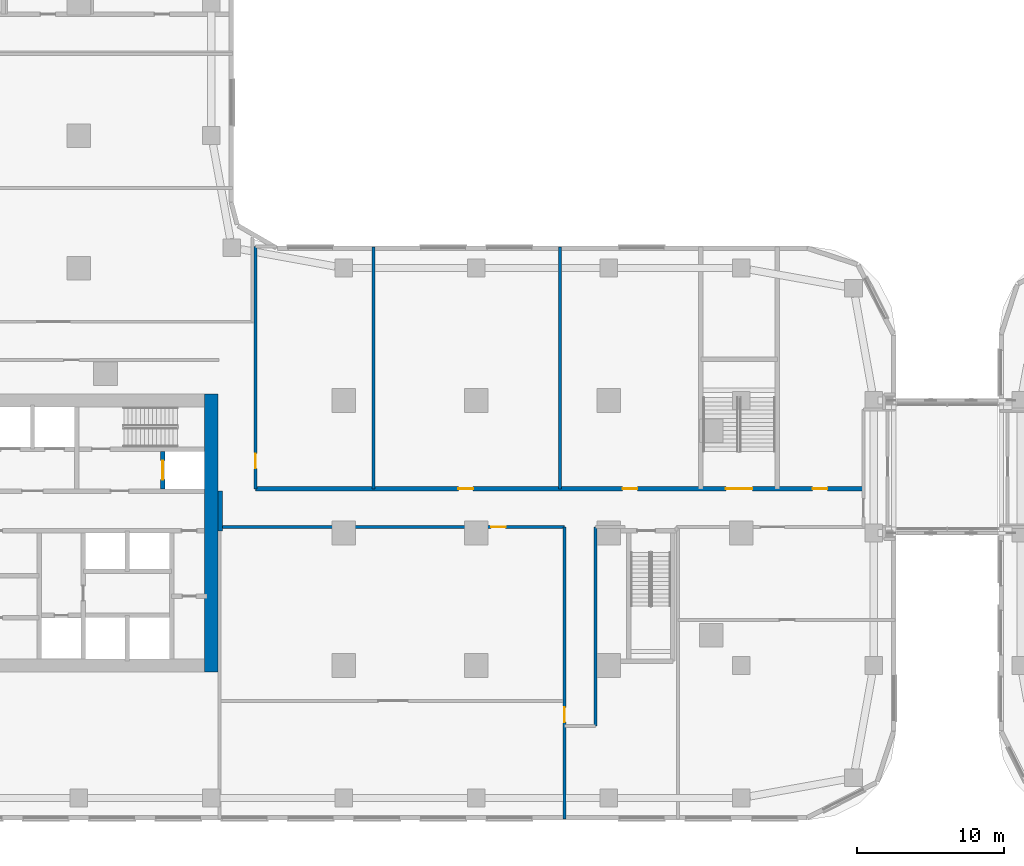
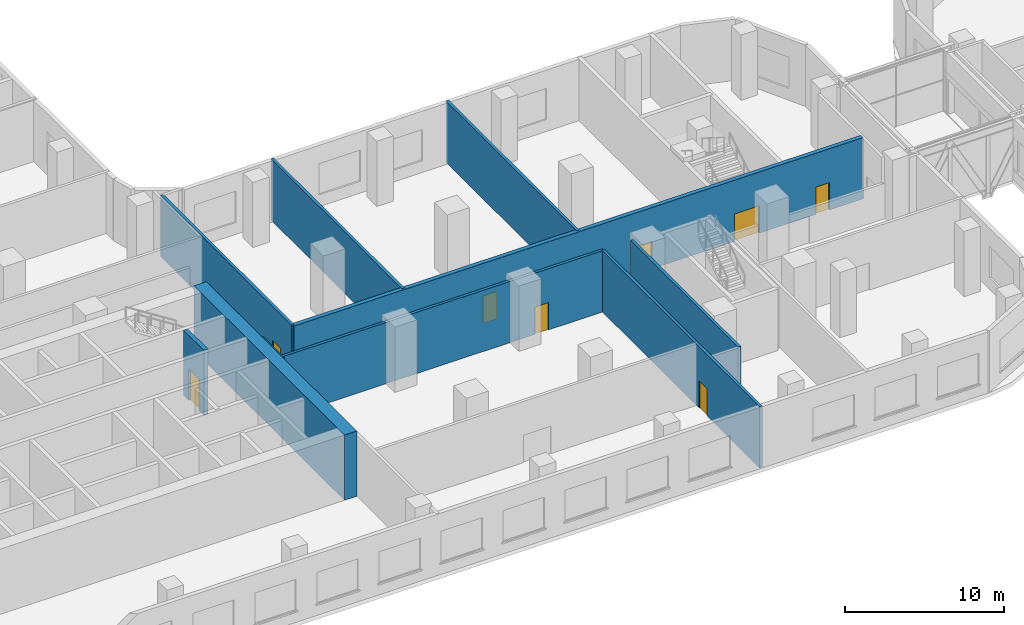
# One storey, part 8 of 35: 10 walls, 8 doors, 8 openings.
"""IFC4 building model written with IfcOpenShell, lengths in metres."""

from ifc_helpers import new_model, si_unit, direction, frame, frame_2d, origin, place, context, subcontext, project, spatial, rectangle, extrude, material, layer, layer_set, type_object, element, fill, save


model = new_model("IFC4")

# Units and contexts
model_context = context("Model", 3, precision=1e-05, world=origin(), true_north=direction((0.0, 1.0)))
body_context = subcontext(model_context, "Body", "Model", "MODEL_VIEW")
ifc_project = project(units=[si_unit("LENGTHUNIT", "METRE"), si_unit("AREAUNIT", "SQUARE_METRE"), si_unit("VOLUMEUNIT", "CUBIC_METRE"), si_unit("PLANEANGLEUNIT", "RADIAN"), si_unit("MASSUNIT", "GRAM", prefix="KILO")], contexts=[model_context])

# Site, building, storey
site_placement = place(None, origin())
site = spatial("IfcSite", under=ifc_project, at=site_placement, CompositionType="ELEMENT")
building_placement = place(site_placement, origin())
building = spatial("IfcBuilding", under=site, at=building_placement, Name="Ogive Portal Towers", CompositionType="ELEMENT")
storey_placement = place(building_placement, frame((0.0, 0.0, 23.5)))
storey = spatial("IfcBuildingStorey", under=building, at=storey_placement, Name="L04", CompositionType="ELEMENT", Elevation=23.5)

# Wall, opening, door
ifc_material_1 = material(Name="Concrete C60/75", Category="concrete")
ifc_layer_1 = layer(ifc_material_1, 0.300048828125)
ifc_layer_set_1 = layer_set([ifc_layer_1], Name="CORE WALL 300 C60")
wall_type_1 = type_object("IfcWallType", Name="CORE WALL 300 C60", PredefinedType="SHEAR", material=ifc_layer_set_1)
wall_1_placement = place(storey_placement, frame((55.199951171875, 33.5, 0.0), z_axis=(0.0, 0.0, 1.0), x_axis=(0.0, 1.0, 0.0)))
wall_1 = element("IfcWall", 1, at=wall_1_placement, inside=storey, type_object=wall_type_1, Name="Core wall X10 L04", PredefinedType="SHEAR", context=body_context, shape_type="SweptSolid", body=[
    extrude(rectangle(XDim=2.550048828125, YDim=0.300048828125, at=frame_2d((1.27490234375, 0.0))), origin(), (0.0, 0.0, 1.0), 5.0),
])
opening_1_placement = place(wall_1_placement, frame((0.625, 0.0, 0.0)))
opening_1 = element("IfcOpeningElement", 2, at=opening_1_placement, cuts=wall_1, Name="Opening D106-018", PredefinedType="OPENING", context=body_context, shape_type="SweptSolid", body=[
    extrude(rectangle(XDim=1.300048828125, YDim=2.39990234375, at=frame_2d((0.64990234375, 1.199951171875))), frame((0.0, 0.16015625, 0.0), z_axis=(0.0, -1.0, 0.0), x_axis=(1.0, 0.0, 0.0)), (0.0, 0.0, 1.0), 0.320068359375),
])
ifc_material_2 = material(Name="Stainless steel", Category="steel")
door_type_1 = type_object("IfcDoorType", Name="DT-LD-1300x2400", OperationType="SLIDING_TO_LEFT", PredefinedType="DOOR", material=ifc_material_2)
door_1_placement = place(opening_1_placement, origin())
door_1 = element("IfcDoor", 3, at=door_1_placement, inside=storey, type_object=door_type_1, Name="Door D106-018", OperationType="SLIDING_TO_LEFT", OverallHeight=2.39990234375, OverallWidth=1.300048828125, PredefinedType="DOOR", context=body_context, shape_type="SweptSolid", body=[
    extrude(rectangle(XDim=1.300048828125, YDim=2.39990234375, at=frame_2d((0.64990234375, 1.199951171875))), frame((0.0, 0.02490234375, 0.0), z_axis=(0.0, -1.0, 0.0), x_axis=(1.0, 0.0, 0.0)), (0.0, 0.0, 1.0), 0.050048828125),
])
fill(opening_1, door_1)

# Wall
ifc_layer_2 = layer(ifc_material_1, 0.89990234375)
ifc_layer_set_2 = layer_set([ifc_layer_2], Name="CORE WALL 900 C60")
wall_type_2 = type_object("IfcWallType", Name="CORE WALL 900 C60", PredefinedType="SHEAR", material=ifc_layer_set_2)
wall_2_placement = place(storey_placement, frame((58.5, 21.050048828125, 0.0), z_axis=(0.0, 0.0, 1.0), x_axis=(0.0, 1.0, 0.0)))
element("IfcWall", 4, at=wall_2_placement, inside=storey, type_object=wall_type_2, Name="Core wall E L04", PredefinedType="SHEAR", context=body_context, shape_type="SweptSolid", body=[
    extrude(rectangle(XDim=18.89990234375, YDim=0.89990234375, at=frame_2d((9.449951171875, 0.0))), origin(), (0.0, 0.0, 1.0), 5.0),
])

# Wall, openings, doors
ifc_material_3 = material(Name="Concrete C50/60", Category="concrete")
ifc_layer_3 = layer(ifc_material_3, 0.300048828125)
ifc_layer_set_3 = layer_set([ifc_layer_3], Name="STAIR WALL 300 C50")
wall_type_3 = type_object("IfcWallType", Name="STAIR WALL 300 C50", PredefinedType="SHEAR", material=ifc_layer_set_3)
wall_3_placement = place(storey_placement, frame((61.5, 33.5, 0.0), z_axis=(0.0, 0.0, 1.0), x_axis=(1.0, 0.0, 0.0)))
wall_3 = element("IfcWall", 5, at=wall_3_placement, inside=storey, type_object=wall_type_3, Name="Stair wall ST-P1 L04", PredefinedType="SHEAR", context=body_context, shape_type="SweptSolid", body=[
    extrude(rectangle(XDim=41.300048828125, YDim=0.300048828125, at=frame_2d((20.64990234375, 0.0))), origin(), (0.0, 0.0, 1.0), 4.699951171875),
])
opening_2_placement = place(wall_3_placement, frame((31.949951171875, 0.0, 0.0)))
opening_2 = element("IfcOpeningElement", 6, at=opening_2_placement, cuts=wall_3, Name="Opening P04-003", PredefinedType="OPENING", context=body_context, shape_type="SweptSolid", body=[
    extrude(rectangle(XDim=1.800048828125, YDim=2.10009765625, at=frame_2d((0.89990234375, 1.050048828125))), frame((0.0, 0.16015625, 0.0), z_axis=(0.0, -1.0, 0.0), x_axis=(1.0, 0.0, 0.0)), (0.0, 0.0, 1.0), 0.320068359375),
])
opening_3_placement = place(wall_3_placement, frame((13.780029296875, 0.0, 0.0)))
opening_3 = element("IfcOpeningElement", 7, at=opening_3_placement, cuts=wall_3, Name="Opening P04-016", PredefinedType="OPENING", context=body_context, shape_type="SweptSolid", body=[
    extrude(rectangle(XDim=1.0, YDim=2.10009765625, at=frame_2d((0.5, 1.050048828125))), frame((0.0, 0.16015625, 0.0), z_axis=(0.0, -1.0, 0.0), x_axis=(1.0, 0.0, 0.0)), (0.0, 0.0, 1.0), 0.320068359375),
])
opening_4_placement = place(wall_3_placement, frame((24.947998046875, 0.0, 0.0)))
opening_4 = element("IfcOpeningElement", 8, at=opening_4_placement, cuts=wall_3, Name="Opening P04-017", PredefinedType="OPENING", context=body_context, shape_type="SweptSolid", body=[
    extrude(rectangle(XDim=1.0, YDim=2.10009765625, at=frame_2d((0.5, 1.050048828125))), frame((0.0, 0.16015625, 0.0), z_axis=(0.0, -1.0, 0.0), x_axis=(1.0, 0.0, 0.0)), (0.0, 0.0, 1.0), 0.320068359375),
])
opening_5_placement = place(wall_3_placement, frame((37.85302734375, 0.0, 0.0)))
opening_5 = element("IfcOpeningElement", 9, at=opening_5_placement, cuts=wall_3, Name="Opening P04-018", PredefinedType="OPENING", context=body_context, shape_type="SweptSolid", body=[
    extrude(rectangle(XDim=1.0, YDim=2.10009765625, at=frame_2d((0.5, 1.050048828125))), frame((0.0, 0.16015625, 0.0), z_axis=(0.0, -1.0, 0.0), x_axis=(1.0, 0.0, 0.0)), (0.0, 0.0, 1.0), 0.320068359375),
])
ifc_material_4 = material(Name="Steel fire door", Category="steel")
door_type_2 = type_object("IfcDoorType", Name="DT-SWING-1000x2100-FD90S", OperationType="SINGLE_SWING_LEFT", PredefinedType="DOOR", material=ifc_material_4)
door_2_placement = place(opening_3_placement, origin())
door_2 = element("IfcDoor", 10, at=door_2_placement, inside=storey, type_object=door_type_2, Name="Door P04-016", OperationType="SINGLE_SWING_RIGHT", OverallHeight=2.10009765625, OverallWidth=1.0, PredefinedType="DOOR", context=body_context, shape_type="SweptSolid", body=[
    extrude(rectangle(XDim=1.0, YDim=2.10009765625, at=frame_2d((0.5, 1.050048828125))), frame((0.0, 0.02490234375, 0.0), z_axis=(0.0, -1.0, 0.0), x_axis=(1.0, 0.0, 0.0)), (0.0, 0.0, 1.0), 0.050048828125),
])
fill(opening_3, door_2)
door_3_placement = place(opening_4_placement, origin())
door_3 = element("IfcDoor", 11, at=door_3_placement, inside=storey, type_object=door_type_2, Name="Door P04-017", OperationType="SINGLE_SWING_LEFT", OverallHeight=2.10009765625, OverallWidth=1.0, PredefinedType="DOOR", context=body_context, shape_type="SweptSolid", body=[
    extrude(rectangle(XDim=1.0, YDim=2.10009765625, at=frame_2d((0.5, 1.050048828125))), frame((0.0, 0.02490234375, 0.0), z_axis=(0.0, -1.0, 0.0), x_axis=(1.0, 0.0, 0.0)), (0.0, 0.0, 1.0), 0.050048828125),
])
fill(opening_4, door_3)
door_4_placement = place(opening_5_placement, origin())
door_4 = element("IfcDoor", 12, at=door_4_placement, inside=storey, type_object=door_type_2, Name="Door P04-018", OperationType="SINGLE_SWING_RIGHT", OverallHeight=2.10009765625, OverallWidth=1.0, PredefinedType="DOOR", context=body_context, shape_type="SweptSolid", body=[
    extrude(rectangle(XDim=1.0, YDim=2.10009765625, at=frame_2d((0.5, 1.050048828125))), frame((0.0, 0.02490234375, 0.0), z_axis=(0.0, -1.0, 0.0), x_axis=(1.0, 0.0, 0.0)), (0.0, 0.0, 1.0), 0.050048828125),
])
fill(opening_5, door_4)
door_type_3 = type_object("IfcDoorType", Name="DT-SWING-1800x2100-FD90S", OperationType="SINGLE_SWING_LEFT", PredefinedType="DOOR", material=ifc_material_4)
door_5_placement = place(opening_2_placement, origin())
door_5 = element("IfcDoor", 13, at=door_5_placement, inside=storey, type_object=door_type_3, Name="Door P04-003", OperationType="SINGLE_SWING_LEFT", OverallHeight=2.10009765625, OverallWidth=1.800048828125, PredefinedType="DOOR", context=body_context, shape_type="SweptSolid", body=[
    extrude(rectangle(XDim=1.800048828125, YDim=2.10009765625, at=frame_2d((0.89990234375, 1.050048828125))), frame((0.0, 0.02490234375, 0.0), z_axis=(0.0, -1.0, 0.0), x_axis=(1.0, 0.0, 0.0)), (0.0, 0.0, 1.0), 0.050048828125),
])
fill(opening_2, door_5)

# Wall, opening, door
ifc_material_5 = material(Name="Gypsum board partition on steel studs", Category="steel")
ifc_layer_4 = layer(ifc_material_5, 0.199951171875)
ifc_layer_set_4 = layer_set([ifc_layer_4], Name="WT-PART-200-EI 60")
wall_type_4 = type_object("IfcWallType", Name="WT-PART-200-EI 60", PredefinedType="PARTITIONING", material=ifc_layer_set_4)
wall_4_placement = place(storey_placement, frame((58.969970703125, 30.89990234375, 0.0), z_axis=(0.0, 0.0, 1.0), x_axis=(1.0, 0.0, 0.0)))
wall_4 = element("IfcWall", 14, at=wall_4_placement, inside=storey, type_object=wall_type_4, Name="Wall L04:w016", PredefinedType="PARTITIONING", context=body_context, shape_type="SweptSolid", body=[
    extrude(rectangle(XDim=23.530029296875, YDim=0.199951171875, at=frame_2d((11.76513671875, 0.0))), origin(), (0.0, 0.0, 1.0), 4.699951171875),
])
opening_6_placement = place(wall_4_placement, frame((18.530029296875, 0.0, 0.0)))
opening_6 = element("IfcOpeningElement", 15, at=opening_6_placement, cuts=wall_4, Name="Opening P04-012", PredefinedType="OPENING", context=body_context, shape_type="SweptSolid", body=[
    extrude(rectangle(XDim=1.0, YDim=2.10009765625, at=frame_2d((0.5, 1.050048828125))), frame((0.0, 0.10986328125, 0.0), z_axis=(0.0, -1.0, 0.0), x_axis=(1.0, 0.0, 0.0)), (0.0, 0.0, 1.0), 0.219970703125),
])
door_type_4 = type_object("IfcDoorType", Name="DT-SWING-1000x2100-FD60S", OperationType="SINGLE_SWING_LEFT", PredefinedType="DOOR", material=ifc_material_4)
door_6_placement = place(opening_6_placement, origin())
door_6 = element("IfcDoor", 16, at=door_6_placement, inside=storey, type_object=door_type_4, Name="Door P04-012", OperationType="SINGLE_SWING_RIGHT", OverallHeight=2.10009765625, OverallWidth=1.0, PredefinedType="DOOR", context=body_context, shape_type="SweptSolid", body=[
    extrude(rectangle(XDim=1.0, YDim=2.10009765625, at=frame_2d((0.5, 1.050048828125))), frame((0.0, 0.02490234375, 0.0), z_axis=(0.0, -1.0, 0.0), x_axis=(1.0, 0.0, 0.0)), (0.0, 0.0, 1.0), 0.050048828125),
])
fill(opening_6, door_6)

wall_5_placement = place(storey_placement, frame((61.5, 33.5, 0.0), z_axis=(0.0, 0.0, 1.0), x_axis=(0.0, 1.0, 0.0)))
wall_5 = element("IfcWall", 17, at=wall_5_placement, inside=storey, type_object=wall_type_4, Name="Wall L04:w094", PredefinedType="PARTITIONING", context=body_context, shape_type="SweptSolid", body=[
    extrude(rectangle(XDim=16.449951171875, YDim=0.199951171875, at=frame_2d((8.22509765625, 0.0))), origin(), (0.0, 0.0, 1.0), 4.699951171875),
])
opening_7_placement = place(wall_5_placement, frame((1.39794921875, 0.0, 0.0)))
opening_7 = element("IfcOpeningElement", 18, at=opening_7_placement, cuts=wall_5, Name="Opening P04-015", PredefinedType="OPENING", context=body_context, shape_type="SweptSolid", body=[
    extrude(rectangle(XDim=1.0, YDim=2.10009765625, at=frame_2d((0.5, 1.050048828125))), frame((0.0, 0.10986328125, 0.0), z_axis=(0.0, -1.0, 0.0), x_axis=(1.0, 0.0, 0.0)), (0.0, 0.0, 1.0), 0.219970703125),
])
door_7_placement = place(opening_7_placement, origin())
door_7 = element("IfcDoor", 19, at=door_7_placement, inside=storey, type_object=door_type_4, Name="Door P04-015", OperationType="SINGLE_SWING_LEFT", OverallHeight=2.10009765625, OverallWidth=1.0, PredefinedType="DOOR", context=body_context, shape_type="SweptSolid", body=[
    extrude(rectangle(XDim=1.0, YDim=2.10009765625, at=frame_2d((0.5, 1.050048828125))), frame((0.0, 0.02490234375, 0.0), z_axis=(0.0, -1.0, 0.0), x_axis=(1.0, 0.0, 0.0)), (0.0, 0.0, 1.0), 0.050048828125),
])
fill(opening_7, door_7)

# Walls
for number, where, z_axis, x_axis, name in (
    (20, (69.5029296875, 33.5, 0.0), (0.0, 0.0, 1.0), (0.0, 1.0, 0.0), "Wall L04:w095"),
    (21, (82.18701171875, 33.5, 0.0), (0.0, 0.0, 1.0), (0.0, 1.0, 0.0), "Wall L04:w096"),
):
    element("IfcWall", number, at=place(storey_placement, frame(where, z_axis=z_axis, x_axis=x_axis)), inside=storey, type_object=wall_type_4, Name=name, PredefinedType="PARTITIONING", context=body_context, shape_type="SweptSolid", body=[
        extrude(rectangle(XDim=16.429931640625, YDim=0.199951171875, at=frame_2d((8.21484375, 0.0))), origin(), (0.0, 0.0, 1.0), 4.699951171875),
    ])

# Wall, opening, door
wall_6_placement = place(storey_placement, frame((82.5, 11.070068359375, 0.0), z_axis=(0.0, 0.0, 1.0), x_axis=(0.0, 1.0, 0.0)))
wall_6 = element("IfcWall", 22, at=wall_6_placement, inside=storey, type_object=wall_type_4, Name="Wall L04:w097", PredefinedType="PARTITIONING", context=body_context, shape_type="SweptSolid", body=[
    extrude(rectangle(XDim=19.829833984375, YDim=0.199951171875, at=frame_2d((9.9150390625, 0.0))), origin(), (0.0, 0.0, 1.0), 4.699951171875),
])
opening_8_placement = place(wall_6_placement, frame((6.580078125, 0.0, 0.0)))
opening_8 = element("IfcOpeningElement", 23, at=opening_8_placement, cuts=wall_6, Name="Opening P04-011", PredefinedType="OPENING", context=body_context, shape_type="SweptSolid", body=[
    extrude(rectangle(XDim=1.0, YDim=2.10009765625, at=frame_2d((0.5, 1.050048828125))), frame((0.0, 0.10986328125, 0.0), z_axis=(0.0, -1.0, 0.0), x_axis=(1.0, 0.0, 0.0)), (0.0, 0.0, 1.0), 0.219970703125),
])
door_8_placement = place(opening_8_placement, origin())
door_8 = element("IfcDoor", 24, at=door_8_placement, inside=storey, type_object=door_type_4, Name="Door P04-011", OperationType="SINGLE_SWING_LEFT", OverallHeight=2.10009765625, OverallWidth=1.0, PredefinedType="DOOR", context=body_context, shape_type="SweptSolid", body=[
    extrude(rectangle(XDim=1.0, YDim=2.10009765625, at=frame_2d((0.5, 1.050048828125))), frame((0.0, 0.02490234375, 0.0), z_axis=(0.0, -1.0, 0.0), x_axis=(1.0, 0.0, 0.0)), (0.0, 0.0, 1.0), 0.050048828125),
])
fill(opening_8, door_8)

# Walls
wall_7_placement = place(storey_placement, frame((84.60009765625, 17.39990234375, 0.0), z_axis=(0.0, 0.0, 1.0), x_axis=(0.0, 1.0, 0.0)))
element("IfcWall", 25, at=wall_7_placement, inside=storey, type_object=wall_type_4, Name="Wall L04:w098", PredefinedType="PARTITIONING", context=body_context, shape_type="SweptSolid", body=[
    extrude(rectangle(XDim=13.5, YDim=0.199951171875, at=frame_2d((6.75, 0.0))), origin(), (0.0, 0.0, 1.0), 4.699951171875),
])
ifc_layer_5 = layer(ifc_material_5, 0.300048828125)
ifc_layer_set_5 = layer_set([ifc_layer_5], Name="WT-PART-300")
wall_type_5 = type_object("IfcWallType", Name="WT-PART-300", PredefinedType="PARTITIONING", material=ifc_layer_set_5)
wall_8_placement = place(storey_placement, frame((59.10009765625, 30.64990234375, 0.0), z_axis=(0.0, 0.0, 1.0), x_axis=(0.0, 1.0, 0.0)))
element("IfcWall", 26, at=wall_8_placement, inside=storey, type_object=wall_type_5, Name="Wall pw:018:L04", PredefinedType="PARTITIONING", context=body_context, shape_type="SweptSolid", body=[
    extrude(rectangle(XDim=2.7001953125, YDim=0.300048828125, at=frame_2d((1.35009765625, 0.0))), origin(), (0.0, 0.0, 1.0), 4.699951171875),
])

save(model, "model.ifc")
